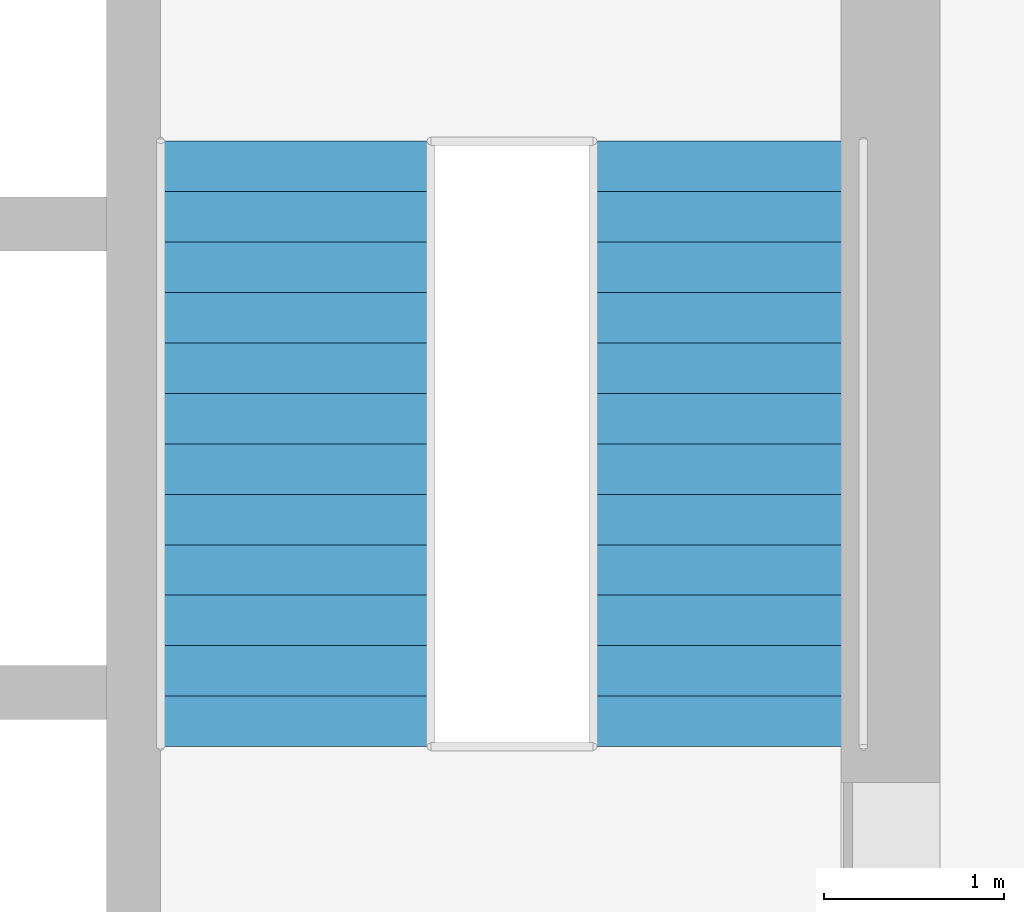
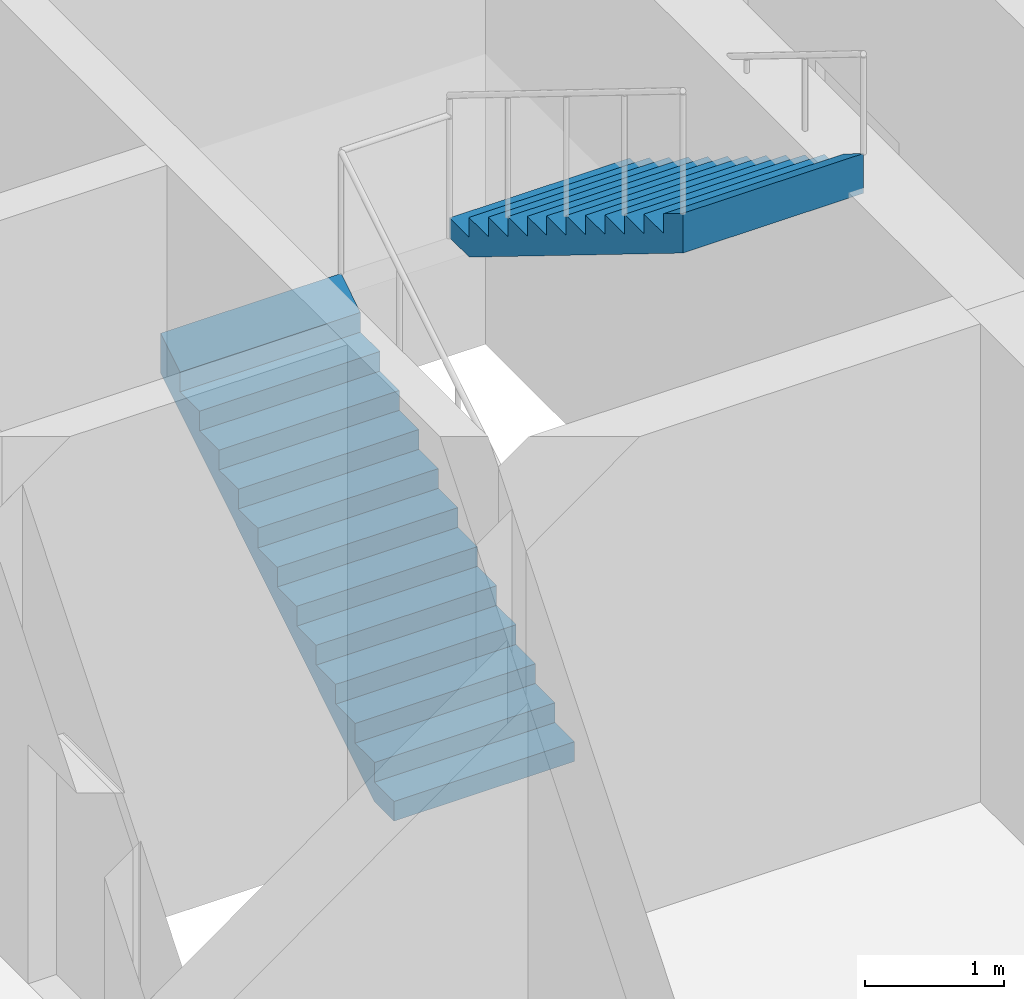
# One storey, part 11 of 13: 2 stair flights, 1 element without a shape of its own.
"""IFC4 building model written with IfcOpenShell, lengths in metres."""

import ifcopenshell
import ifcopenshell.guid

model = None  # the IFC model being written
_history = None  # IfcOwnerHistory: only IFC2X3 demands one
_inside = {}  # id of a spatial element -> (the spatial element, [elements in it])
_under = {}  # id of a project, library or spatial element -> (it, [spatial elements below it])
_declared = {}  # id of a project -> (the project, [libraries it declares])
_typed = {}  # id of a type object -> (the type object, [elements of that type])
_made_of = {}  # id of a material, layer set ... -> (it, [elements and type objects made of it])


def new_model(schema):
    """Start an empty IFC model of exactly this schema.

    Asked for "IFC4X3", IfcOpenShell would pick the latest addendum, in which some entities
    have other attributes; the version numbers below select the first issue.
    IFC2X3 requires an IfcOwnerHistory on every rooted entity: one is made here for all.
    """
    global model, _history
    if schema == "IFC4X3":
        model = ifcopenshell.file(schema_version=(4, 3, 0, 0))
    else:
        model = ifcopenshell.file(schema=schema)
    _inside.clear()
    _under.clear()
    _declared.clear()
    _typed.clear()
    _made_of.clear()
    _history = None
    if model.schema == "IFC2X3":
        org = make("IfcOrganization", Name="unknown")
        user = make(
            "IfcPersonAndOrganization",
            ThePerson=make("IfcPerson", FamilyName="unknown"),
            TheOrganization=org,
        )
        app = make(
            "IfcApplication",
            ApplicationDeveloper=org,
            Version="unknown",
            ApplicationFullName="unknown",
            ApplicationIdentifier="unknown",
        )
        _history = make(
            "IfcOwnerHistory",
            OwningUser=user,
            OwningApplication=app,
            ChangeAction="ADDED",
            CreationDate=0,
        )
    return model


def make(cls, **values):
    """One entity of the class cls with the attributes given. An attribute that is None is left unset."""
    return model.create_entity(
        cls, **{name: value for name, value in values.items() if value is not None}
    )


def rooted(cls, **values):
    """An entity with a GlobalId (a new one), such as an element, a storey or a relation."""
    return make(cls, GlobalId=ifcopenshell.guid.new(), OwnerHistory=_history, **values)


def si_unit(unit_type, name, prefix=None):
    """IfcSIUnit, for example si_unit("LENGTHUNIT", "METRE", prefix="MILLI")."""
    return make("IfcSIUnit", UnitType=unit_type, Prefix=prefix, Name=name)


def assignment(units):
    """IfcUnitAssignment: the units of a project."""
    return None if units is None else make("IfcUnitAssignment", Units=units)


def point(xyz):
    """IfcCartesianPoint."""
    return None if xyz is None else make("IfcCartesianPoint", Coordinates=xyz)


def direction(xyz):
    """IfcDirection."""
    return None if xyz is None else make("IfcDirection", DirectionRatios=xyz)


def frame(location, z_axis=None, x_axis=None):
    """IfcAxis2Placement3D, a coordinate frame: its origin and axes. An axis left out is left unset."""
    return make(
        "IfcAxis2Placement3D",
        Location=point(location),
        Axis=direction(z_axis),
        RefDirection=direction(x_axis),
    )


def origin():
    """The frame at (0, 0, 0) with its axes left unset."""
    return frame((0.0, 0.0, 0.0))


def place(relative_to, where):
    """IfcLocalPlacement: puts the frame where relative to a parent placement (None: the world)."""
    return make(
        "IfcLocalPlacement", PlacementRelTo=relative_to, RelativePlacement=where
    )


def context(
    kind, dimensions, precision=None, world=None, true_north=None, identifier=None
):
    """IfcGeometricRepresentationContext, for example the 3D "Model" context."""
    return make(
        "IfcGeometricRepresentationContext",
        ContextIdentifier=identifier,
        ContextType=kind,
        CoordinateSpaceDimension=dimensions,
        Precision=precision,
        WorldCoordinateSystem=world,
        TrueNorth=true_north,
    )


def subcontext(parent, identifier, kind, view, scale=None):
    """IfcGeometricRepresentationSubContext, for example "Body" below "Model"."""
    return make(
        "IfcGeometricRepresentationSubContext",
        ContextIdentifier=identifier,
        ContextType=kind,
        ParentContext=parent,
        TargetScale=scale,
        TargetView=view,
    )


def project(units=None, contexts=None):
    """IfcProject with its units and contexts."""
    return rooted(
        "IfcProject",
        Name="project",
        RepresentationContexts=contexts,
        UnitsInContext=assignment(units),
    )


def spatial(cls, under=None, at=None, **own):
    """A site, building, storey or space (cls), placed at a placement, below another one or the project."""
    s = rooted(cls, ObjectPlacement=at, **own)
    if under is not None:
        _under.setdefault(under.id(), (under, []))[1].append(s)
    return s


def point_list(points):
    """IfcCartesianPointList2D or 3D."""
    cls = (
        "IfcCartesianPointList2D" if len(points[0]) == 2 else "IfcCartesianPointList3D"
    )
    return make(cls, CoordList=points)


def triangles(points, corners, closed=None, point_numbers=None):
    """IfcTriangulatedFaceSet: each triangle names its three corners, points numbered from 1."""
    return make(
        "IfcTriangulatedFaceSet",
        Coordinates=point_list(points),
        Closed=closed,
        CoordIndex=corners,
        PnIndex=point_numbers,
    )


def shape(context_of_items, identifier, shape_type, items):
    """IfcShapeRepresentation: the items that make up one representation, for example the "Body"."""
    return make(
        "IfcShapeRepresentation",
        ContextOfItems=context_of_items,
        RepresentationIdentifier=identifier,
        RepresentationType=shape_type,
        Items=items,
    )


def material(Name=None, Category=None):
    """IfcMaterial."""
    return make("IfcMaterial", Name=Name, Category=Category)


def made_of(thing, what):
    """Note that an element or type object is made of a material, layer set ...; save() writes the relation."""
    if what is not None:
        _made_of.setdefault(what.id(), (what, []))[1].append(thing)
    return thing


def type_object(cls, material=None, **own):
    """A type object (cls), such as IfcWallType, which elements share."""
    return made_of(rooted(cls, **own), material)


def element(
    cls,
    number,
    at=None,
    inside=None,
    cuts=None,
    type_object=None,
    material=None,
    context=None,
    identifier="Body",
    shape_type=None,
    held_by="IfcProductDefinitionShape",
    body=None,
    shapes=None,
    **own,
):
    """One element of the class cls, such as IfcWall. Its Tag is "e" and its number.

    at: its placement. inside: the storey or other place that contains it. cuts: it is an
    opening in that element (IfcRelVoidsElement). A single representation is given by context,
    identifier, shape_type and body (its items); several are given by shapes. held_by: the class
    of the entity that holds the representations. save() writes the other relations.
    """
    e = rooted(cls, Tag="e%d" % number, ObjectPlacement=at, **own)
    if body is not None:
        shapes = [shape(context, identifier, shape_type, body)]
    if shapes is not None:
        e.Representation = make(held_by, Representations=shapes)
    if inside is not None:
        _inside.setdefault(inside.id(), (inside, []))[1].append(e)
    if cuts is not None:
        rooted(
            "IfcRelVoidsElement", RelatingBuildingElement=cuts, RelatedOpeningElement=e
        )
    if type_object is not None:
        _typed.setdefault(type_object.id(), (type_object, []))[1].append(e)
    return made_of(e, material)


def aggregate(whole, parts):
    """IfcRelAggregates: a whole, such as a stair, and the parts it consists of."""
    return rooted("IfcRelAggregates", RelatingObject=whole, RelatedObjects=parts)


def save(model, path):
    """Write the relations noted so far, then the file.

    IfcRelAggregates (storeys below a building ...), IfcRelContainedInSpatialStructure (elements
    in a storey), IfcRelDefinesByType, IfcRelAssociatesMaterial and IfcRelDeclares: one each for
    every whole, place, type object, material and project.
    """
    for whole, parts in _under.values():
        aggregate(whole, parts)
    for where, things in _inside.values():
        rooted(
            "IfcRelContainedInSpatialStructure",
            RelatedElements=things,
            RelatingStructure=where,
        )
    for kind, things in _typed.values():
        rooted("IfcRelDefinesByType", RelatedObjects=things, RelatingType=kind)
    for what, things in _made_of.values():
        rooted("IfcRelAssociatesMaterial", RelatedObjects=things, RelatingMaterial=what)
    for by, libraries in _declared.values():
        rooted("IfcRelDeclares", RelatingContext=by, RelatedDefinitions=libraries)
    model.write(path)


model = new_model("IFC4")

# Units and contexts
model_context = context("Model", 3, precision=1e-05, world=origin(), true_north=direction((0.0, 1.0)))
body_context = subcontext(model_context, "Body", "Model", "MODEL_VIEW")
ifc_project = project(units=[si_unit("LENGTHUNIT", "METRE"), si_unit("AREAUNIT", "SQUARE_METRE"), si_unit("VOLUMEUNIT", "CUBIC_METRE"), si_unit("PLANEANGLEUNIT", "RADIAN"), si_unit("MASSUNIT", "GRAM", prefix="KILO")], contexts=[model_context])

# Site, building, storey
site_placement = place(None, origin())
site = spatial("IfcSite", under=ifc_project, at=site_placement, CompositionType="ELEMENT")
building_placement = place(site_placement, origin())
building = spatial("IfcBuilding", under=site, at=building_placement, Name="Ludao Terraces", CompositionType="ELEMENT")
storey_placement = place(building_placement, frame((0.0, 0.0, 192.800048828125)))
storey = spatial("IfcBuildingStorey", under=building, at=storey_placement, Name="L52", CompositionType="ELEMENT", Elevation=192.800048828125)

# Stair, stair flights
ifc_material = material(Name="Concrete C40", Category="concrete")
stair_type = type_object("IfcStairType", Name="INT Stair", PredefinedType="HALF_TURN_STAIR", material=ifc_material)
stair_placement = place(storey_placement, origin())
stair = element("IfcStair", 1, at=stair_placement, inside=storey, type_object=stair_type, Name="EXIT STAIR 2", PredefinedType="HALF_TURN_STAIR")
stair_flight_type = type_object("IfcStairFlightType", Name="INT Stair flight", PredefinedType="STRAIGHT", material=ifc_material)
stair_flight_1_placement = place(storey_placement, frame((91.449951171875, 79.0, 0.0), z_axis=(0.0, 0.0, 1.0), x_axis=(0.0, 1.0, 0.0)))
stair_flight_1 = element("IfcStairFlight", 2, at=stair_flight_1_placement, type_object=stair_flight_type, Name="ST2 flight 1", NumberOfRisers=13, NumberOfTreads=12, PredefinedType="STRAIGHT", RiserHeight=0.173077, TreadLength=0.28, context=body_context, shape_type="Tessellation", body=[
    triangles([(0.0, -0.75, 0.0), (0.0, -0.5, 0.0), (0.0, -0.25, 0.0), (0.0, 0.0, 0.0), (0.0, 0.25, 0.0), (0.0, 0.5, 0.0), (0.0, 0.75, 0.0), (0.0, -0.75, 0.173095703125), (0.0, -0.5, 0.173095703125), (0.0, -0.25, 0.173095703125), (0.0, 0.0, 0.173095703125), (0.0, 0.25, 0.173095703125), (0.0, 0.5, 0.173095703125), (0.0, 0.75, 0.173095703125), (0.280029296875, -0.75, 0.173095703125), (0.280029296875, -0.5, 0.173095703125), (0.280029296875, -0.25, 0.173095703125), (0.280029296875, 0.0, 0.173095703125), (0.280029296875, 0.25, 0.173095703125), (0.280029296875, 0.5, 0.173095703125), (0.280029296875, 0.75, 0.173095703125), (0.280029296875, -0.75, 0.34619140625), (0.280029296875, -0.5, 0.34619140625), (0.280029296875, -0.25, 0.34619140625), (0.280029296875, 0.0, 0.34619140625), (0.280029296875, 0.25, 0.34619140625), (0.280029296875, 0.5, 0.34619140625), (0.280029296875, 0.75, 0.34619140625), (0.56005859375, -0.75, 0.34619140625), (0.56005859375, -0.5, 0.34619140625), (0.56005859375, -0.25, 0.34619140625), (0.56005859375, 0.0, 0.34619140625), (0.56005859375, 0.25, 0.34619140625), (0.56005859375, 0.5, 0.34619140625), (0.56005859375, 0.75, 0.34619140625), (0.56005859375, -0.75, 0.519287109375), (0.56005859375, -0.5, 0.519287109375), (0.56005859375, -0.25, 0.519287109375), (0.56005859375, 0.0, 0.519287109375), (0.56005859375, 0.25, 0.519287109375), (0.56005859375, 0.5, 0.519287109375), (0.56005859375, 0.75, 0.519287109375), (0.840087890625, -0.75, 0.519287109375), (0.840087890625, -0.5, 0.519287109375), (0.840087890625, -0.25, 0.519287109375), (0.840087890625, 0.0, 0.519287109375), (0.840087890625, 0.25, 0.519287109375), (0.840087890625, 0.5, 0.519287109375), (0.840087890625, 0.75, 0.519287109375), (0.840087890625, -0.75, 0.6923828125), (0.840087890625, -0.5, 0.6923828125), (0.840087890625, -0.25, 0.6923828125), (0.840087890625, 0.0, 0.6923828125), (0.840087890625, 0.25, 0.6923828125), (0.840087890625, 0.5, 0.6923828125), (0.840087890625, 0.75, 0.6923828125), (1.1201171875, -0.75, 0.6923828125), (1.1201171875, -0.5, 0.6923828125), (1.1201171875, -0.25, 0.6923828125), (1.1201171875, 0.0, 0.6923828125), (1.1201171875, 0.25, 0.6923828125), (1.1201171875, 0.5, 0.6923828125), (1.1201171875, 0.75, 0.6923828125), (1.1201171875, -0.75, 0.865478515625), (1.1201171875, -0.5, 0.865478515625), (1.1201171875, -0.25, 0.865478515625), (1.1201171875, 0.0, 0.865478515625), (1.1201171875, 0.25, 0.865478515625), (1.1201171875, 0.5, 0.865478515625), (1.1201171875, 0.75, 0.865478515625), (1.39990234375, -0.75, 0.865478515625), (1.39990234375, -0.5, 0.865478515625), (1.39990234375, -0.25, 0.865478515625), (1.39990234375, 0.0, 0.865478515625), (1.39990234375, 0.25, 0.865478515625), (1.39990234375, 0.5, 0.865478515625), (1.39990234375, 0.75, 0.865478515625), (1.39990234375, -0.75, 1.03857421875), (1.39990234375, -0.5, 1.03857421875), (1.39990234375, -0.25, 1.03857421875), (1.39990234375, 0.0, 1.03857421875), (1.39990234375, 0.25, 1.03857421875), (1.39990234375, 0.5, 1.03857421875), (1.39990234375, 0.75, 1.03857421875), (1.679931640625, -0.75, 1.03857421875), (1.679931640625, -0.5, 1.03857421875), (1.679931640625, -0.25, 1.03857421875), (1.679931640625, 0.0, 1.03857421875), (1.679931640625, 0.25, 1.03857421875), (1.679931640625, 0.5, 1.03857421875), (1.679931640625, 0.75, 1.03857421875), (1.679931640625, -0.75, 1.21142578125), (1.679931640625, -0.5, 1.21142578125), (1.679931640625, -0.25, 1.21142578125), (1.679931640625, 0.0, 1.21142578125), (1.679931640625, 0.25, 1.21142578125), (1.679931640625, 0.5, 1.21142578125), (1.679931640625, 0.75, 1.21142578125), (1.9599609375, -0.75, 1.21142578125), (1.9599609375, -0.5, 1.21142578125), (1.9599609375, -0.25, 1.21142578125), (1.9599609375, 0.0, 1.21142578125), (1.9599609375, 0.25, 1.21142578125), (1.9599609375, 0.5, 1.21142578125), (1.9599609375, 0.75, 1.21142578125), (1.9599609375, -0.75, 1.384521484375), (1.9599609375, -0.5, 1.384521484375), (1.9599609375, -0.25, 1.384521484375), (1.9599609375, 0.0, 1.384521484375), (1.9599609375, 0.25, 1.384521484375), (1.9599609375, 0.5, 1.384521484375), (1.9599609375, 0.75, 1.384521484375), (2.239990234375, -0.75, 1.384521484375), (2.239990234375, -0.5, 1.384521484375), (2.239990234375, -0.25, 1.384521484375), (2.239990234375, 0.0, 1.384521484375), (2.239990234375, 0.25, 1.384521484375), (2.239990234375, 0.5, 1.384521484375), (2.239990234375, 0.75, 1.384521484375), (2.239990234375, -0.75, 1.5576171875), (2.239990234375, -0.5, 1.5576171875), (2.239990234375, -0.25, 1.5576171875), (2.239990234375, 0.0, 1.5576171875), (2.239990234375, 0.25, 1.5576171875), (2.239990234375, 0.5, 1.5576171875), (2.239990234375, 0.75, 1.5576171875), (2.52001953125, -0.75, 1.5576171875), (2.52001953125, -0.5, 1.5576171875), (2.52001953125, -0.25, 1.5576171875), (2.52001953125, 0.0, 1.5576171875), (2.52001953125, 0.25, 1.5576171875), (2.52001953125, 0.5, 1.5576171875), (2.52001953125, 0.75, 1.5576171875), (2.52001953125, -0.75, 1.730712890625), (2.52001953125, -0.5, 1.730712890625), (2.52001953125, -0.25, 1.730712890625), (2.52001953125, 0.0, 1.730712890625), (2.52001953125, 0.25, 1.730712890625), (2.52001953125, 0.5, 1.730712890625), (2.52001953125, 0.75, 1.730712890625), (2.800048828125, -0.75, 1.730712890625), (2.800048828125, -0.5, 1.730712890625), (2.800048828125, -0.25, 1.730712890625), (2.800048828125, 0.0, 1.730712890625), (2.800048828125, 0.25, 1.730712890625), (2.800048828125, 0.5, 1.730712890625), (2.800048828125, 0.75, 1.730712890625), (2.800048828125, -0.75, 1.90380859375), (2.800048828125, -0.5, 1.90380859375), (2.800048828125, -0.25, 1.90380859375), (2.800048828125, 0.0, 1.90380859375), (2.800048828125, 0.25, 1.90380859375), (2.800048828125, 0.5, 1.90380859375), (2.800048828125, 0.75, 1.90380859375), (3.080078125, -0.75, 1.90380859375), (3.080078125, -0.5, 1.90380859375), (3.080078125, -0.25, 1.90380859375), (3.080078125, 0.0, 1.90380859375), (3.080078125, 0.25, 1.90380859375), (3.080078125, 0.5, 1.90380859375), (3.080078125, 0.75, 1.90380859375), (3.080078125, -0.75, 2.076904296875), (3.080078125, -0.5, 2.076904296875), (3.080078125, -0.25, 2.076904296875), (3.080078125, 0.0, 2.076904296875), (3.080078125, 0.25, 2.076904296875), (3.080078125, 0.5, 2.076904296875), (3.080078125, 0.75, 2.076904296875), (3.360107421875, -0.75, 2.25), (3.360107421875, -0.5, 2.25), (3.360107421875, -0.25, 2.25), (3.360107421875, 0.0, 2.25), (3.360107421875, 0.25, 2.25), (3.360107421875, 0.5, 2.25), (3.360107421875, 0.75, 2.25), (3.360107421875, -0.75, 1.900634765625), (3.360107421875, -0.5, 1.900634765625), (3.360107421875, -0.25, 1.900634765625), (3.360107421875, 0.0, 1.900634765625), (3.360107421875, 0.25, 1.900634765625), (3.360107421875, 0.5, 1.900634765625), (3.360107421875, 0.75, 1.900634765625), (0.28515625, -0.75, 0.0), (0.28515625, -0.5, 0.0), (0.28515625, -0.25, 0.0), (0.28515625, 0.0, 0.0), (0.28515625, 0.25, 0.0), (0.28515625, 0.5, 0.0), (0.28515625, 0.75, 0.0)], [[1, 183, 176], [7, 182, 189], [176, 169, 162], [182, 168, 175], [176, 162, 155], [182, 161, 168], [176, 155, 148], [182, 154, 161], [176, 148, 141], [182, 147, 154], [141, 134, 127], [147, 133, 140], [176, 141, 127], [182, 133, 147], [127, 120, 113], [133, 119, 126], [176, 127, 113], [182, 119, 133], [113, 106, 99], [119, 105, 112], [176, 113, 99], [182, 105, 119], [1, 176, 99], [7, 105, 182], [99, 92, 85], [105, 91, 98], [85, 78, 71], [91, 77, 84], [99, 85, 71], [105, 77, 91], [71, 64, 57], [77, 63, 70], [99, 71, 57], [105, 63, 77], [57, 50, 43], [63, 49, 56], [99, 57, 43], [105, 49, 63], [43, 36, 29], [49, 35, 42], [99, 43, 29], [105, 35, 49], [29, 22, 15], [35, 21, 28], [99, 29, 15], [105, 21, 35], [1, 99, 15], [7, 21, 105], [15, 8, 1], [21, 7, 14], [1, 9, 2], [1, 8, 9], [2, 10, 3], [2, 9, 10], [3, 11, 4], [3, 10, 11], [4, 12, 5], [4, 11, 12], [5, 13, 6], [5, 12, 13], [6, 14, 7], [6, 13, 14], [8, 16, 9], [8, 15, 16], [9, 17, 10], [9, 16, 17], [10, 18, 11], [10, 17, 18], [11, 19, 12], [11, 18, 19], [12, 20, 13], [12, 19, 20], [13, 21, 14], [13, 20, 21], [15, 23, 16], [15, 22, 23], [16, 24, 17], [16, 23, 24], [17, 25, 18], [17, 24, 25], [18, 26, 19], [18, 25, 26], [19, 27, 20], [19, 26, 27], [20, 28, 21], [20, 27, 28], [22, 30, 23], [22, 29, 30], [23, 31, 24], [23, 30, 31], [24, 32, 25], [24, 31, 32], [25, 33, 26], [25, 32, 33], [26, 34, 27], [26, 33, 34], [27, 35, 28], [27, 34, 35], [29, 37, 30], [29, 36, 37], [30, 38, 31], [30, 37, 38], [31, 39, 32], [31, 38, 39], [32, 40, 33], [32, 39, 40], [33, 41, 34], [33, 40, 41], [34, 42, 35], [34, 41, 42], [36, 44, 37], [36, 43, 44], [37, 45, 38], [37, 44, 45], [38, 46, 39], [38, 45, 46], [39, 47, 40], [39, 46, 47], [40, 48, 41], [40, 47, 48], [41, 49, 42], [41, 48, 49], [43, 51, 44], [43, 50, 51], [44, 52, 45], [44, 51, 52], [45, 53, 46], [45, 52, 53], [46, 54, 47], [46, 53, 54], [47, 55, 48], [47, 54, 55], [48, 56, 49], [48, 55, 56], [50, 58, 51], [50, 57, 58], [51, 59, 52], [51, 58, 59], [52, 60, 53], [52, 59, 60], [53, 61, 54], [53, 60, 61], [54, 62, 55], [54, 61, 62], [55, 63, 56], [55, 62, 63], [57, 65, 58], [57, 64, 65], [58, 66, 59], [58, 65, 66], [59, 67, 60], [59, 66, 67], [60, 68, 61], [60, 67, 68], [61, 69, 62], [61, 68, 69], [62, 70, 63], [62, 69, 70], [64, 72, 65], [64, 71, 72], [65, 73, 66], [65, 72, 73], [66, 74, 67], [66, 73, 74], [67, 75, 68], [67, 74, 75], [68, 76, 69], [68, 75, 76], [69, 77, 70], [69, 76, 77], [71, 79, 72], [71, 78, 79], [72, 80, 73], [72, 79, 80], [73, 81, 74], [73, 80, 81], [74, 82, 75], [74, 81, 82], [75, 83, 76], [75, 82, 83], [76, 84, 77], [76, 83, 84], [78, 86, 79], [78, 85, 86], [79, 87, 80], [79, 86, 87], [80, 88, 81], [80, 87, 88], [81, 89, 82], [81, 88, 89], [82, 90, 83], [82, 89, 90], [83, 91, 84], [83, 90, 91], [85, 93, 86], [85, 92, 93], [86, 94, 87], [86, 93, 94], [87, 95, 88], [87, 94, 95], [88, 96, 89], [88, 95, 96], [89, 97, 90], [89, 96, 97], [90, 98, 91], [90, 97, 98], [92, 100, 93], [92, 99, 100], [93, 101, 94], [93, 100, 101], [94, 102, 95], [94, 101, 102], [95, 103, 96], [95, 102, 103], [96, 104, 97], [96, 103, 104], [97, 105, 98], [97, 104, 105], [99, 107, 100], [99, 106, 107], [100, 108, 101], [100, 107, 108], [101, 109, 102], [101, 108, 109], [102, 110, 103], [102, 109, 110], [103, 111, 104], [103, 110, 111], [104, 112, 105], [104, 111, 112], [106, 114, 107], [106, 113, 114], [107, 115, 108], [107, 114, 115], [108, 116, 109], [108, 115, 116], [109, 117, 110], [109, 116, 117], [110, 118, 111], [110, 117, 118], [111, 119, 112], [111, 118, 119], [113, 121, 114], [113, 120, 121], [114, 122, 115], [114, 121, 122], [115, 123, 116], [115, 122, 123], [116, 124, 117], [116, 123, 124], [117, 125, 118], [117, 124, 125], [118, 126, 119], [118, 125, 126], [120, 128, 121], [120, 127, 128], [121, 129, 122], [121, 128, 129], [122, 130, 123], [122, 129, 130], [123, 131, 124], [123, 130, 131], [124, 132, 125], [124, 131, 132], [125, 133, 126], [125, 132, 133], [127, 135, 128], [127, 134, 135], [128, 136, 129], [128, 135, 136], [129, 137, 130], [129, 136, 137], [130, 138, 131], [130, 137, 138], [131, 139, 132], [131, 138, 139], [132, 140, 133], [132, 139, 140], [134, 142, 135], [134, 141, 142], [135, 143, 136], [135, 142, 143], [136, 144, 137], [136, 143, 144], [137, 145, 138], [137, 144, 145], [138, 146, 139], [138, 145, 146], [139, 147, 140], [139, 146, 147], [141, 149, 142], [141, 148, 149], [142, 150, 143], [142, 149, 150], [143, 151, 144], [143, 150, 151], [144, 152, 145], [144, 151, 152], [145, 153, 146], [145, 152, 153], [146, 154, 147], [146, 153, 154], [148, 156, 149], [148, 155, 156], [149, 157, 150], [149, 156, 157], [150, 158, 151], [150, 157, 158], [151, 159, 152], [151, 158, 159], [152, 160, 153], [152, 159, 160], [153, 161, 154], [153, 160, 161], [155, 163, 156], [155, 162, 163], [156, 164, 157], [156, 163, 164], [157, 165, 158], [157, 164, 165], [158, 166, 159], [158, 165, 166], [159, 167, 160], [159, 166, 167], [160, 168, 161], [160, 167, 168], [162, 170, 163], [162, 169, 170], [163, 171, 164], [163, 170, 171], [164, 172, 165], [164, 171, 172], [165, 173, 166], [165, 172, 173], [166, 174, 167], [166, 173, 174], [167, 175, 168], [167, 174, 175], [169, 177, 170], [169, 176, 177], [170, 178, 171], [170, 177, 178], [171, 179, 172], [171, 178, 179], [172, 180, 173], [172, 179, 180], [173, 181, 174], [173, 180, 181], [174, 182, 175], [174, 181, 182], [176, 184, 177], [176, 183, 184], [177, 185, 178], [177, 184, 185], [178, 186, 179], [178, 185, 186], [179, 187, 180], [179, 186, 187], [180, 188, 181], [180, 187, 188], [181, 189, 182], [181, 188, 189], [183, 2, 184], [183, 1, 2], [184, 3, 185], [184, 2, 3], [185, 4, 186], [185, 3, 4], [186, 5, 187], [186, 4, 5], [187, 6, 188], [187, 5, 6], [188, 7, 189], [188, 6, 7]], closed=True),
])
stair_flight_2_placement = place(storey_placement, frame((93.85009765625, 82.360107421875, 2.25), z_axis=(0.0, 0.0, 1.0), x_axis=(0.0, -1.0, 0.0)))
stair_flight_2 = element("IfcStairFlight", 3, at=stair_flight_2_placement, type_object=stair_flight_type, Name="ST2 flight 2", NumberOfRisers=13, NumberOfTreads=12, PredefinedType="STRAIGHT", RiserHeight=0.173077, TreadLength=0.28, context=body_context, shape_type="Tessellation", body=[
    triangles([(0.0, -0.75, 0.0), (0.0, -0.5, 0.0), (0.0, -0.25, 0.0), (0.0, 0.0, 0.0), (0.0, 0.25, 0.0), (0.0, 0.5, 0.0), (0.0, 0.75, 0.0), (0.0, -0.75, 0.173095703125), (0.0, -0.5, 0.173095703125), (0.0, -0.25, 0.173095703125), (0.0, 0.0, 0.173095703125), (0.0, 0.25, 0.173095703125), (0.0, 0.5, 0.173095703125), (0.0, 0.75, 0.173095703125), (0.280029296875, -0.75, 0.173095703125), (0.280029296875, -0.5, 0.173095703125), (0.280029296875, -0.25, 0.173095703125), (0.280029296875, 0.0, 0.173095703125), (0.280029296875, 0.25, 0.173095703125), (0.280029296875, 0.5, 0.173095703125), (0.280029296875, 0.75, 0.173095703125), (0.280029296875, -0.75, 0.34619140625), (0.280029296875, -0.5, 0.34619140625), (0.280029296875, -0.25, 0.34619140625), (0.280029296875, 0.0, 0.34619140625), (0.280029296875, 0.25, 0.34619140625), (0.280029296875, 0.5, 0.34619140625), (0.280029296875, 0.75, 0.34619140625), (0.56005859375, -0.75, 0.34619140625), (0.56005859375, -0.5, 0.34619140625), (0.56005859375, -0.25, 0.34619140625), (0.56005859375, 0.0, 0.34619140625), (0.56005859375, 0.25, 0.34619140625), (0.56005859375, 0.5, 0.34619140625), (0.56005859375, 0.75, 0.34619140625), (0.56005859375, -0.75, 0.519287109375), (0.56005859375, -0.5, 0.519287109375), (0.56005859375, -0.25, 0.519287109375), (0.56005859375, 0.0, 0.519287109375), (0.56005859375, 0.25, 0.519287109375), (0.56005859375, 0.5, 0.519287109375), (0.56005859375, 0.75, 0.519287109375), (0.840087890625, -0.75, 0.519287109375), (0.840087890625, -0.5, 0.519287109375), (0.840087890625, -0.25, 0.519287109375), (0.840087890625, 0.0, 0.519287109375), (0.840087890625, 0.25, 0.519287109375), (0.840087890625, 0.5, 0.519287109375), (0.840087890625, 0.75, 0.519287109375), (0.840087890625, -0.75, 0.6923828125), (0.840087890625, -0.5, 0.6923828125), (0.840087890625, -0.25, 0.6923828125), (0.840087890625, 0.0, 0.6923828125), (0.840087890625, 0.25, 0.6923828125), (0.840087890625, 0.5, 0.6923828125), (0.840087890625, 0.75, 0.6923828125), (1.1201171875, -0.75, 0.6923828125), (1.1201171875, -0.5, 0.6923828125), (1.1201171875, -0.25, 0.6923828125), (1.1201171875, 0.0, 0.6923828125), (1.1201171875, 0.25, 0.6923828125), (1.1201171875, 0.5, 0.6923828125), (1.1201171875, 0.75, 0.6923828125), (1.1201171875, -0.75, 0.865478515625), (1.1201171875, -0.5, 0.865478515625), (1.1201171875, -0.25, 0.865478515625), (1.1201171875, 0.0, 0.865478515625), (1.1201171875, 0.25, 0.865478515625), (1.1201171875, 0.5, 0.865478515625), (1.1201171875, 0.75, 0.865478515625), (1.39990234375, -0.75, 0.865478515625), (1.39990234375, -0.5, 0.865478515625), (1.39990234375, -0.25, 0.865478515625), (1.39990234375, 0.0, 0.865478515625), (1.39990234375, 0.25, 0.865478515625), (1.39990234375, 0.5, 0.865478515625), (1.39990234375, 0.75, 0.865478515625), (1.39990234375, -0.75, 1.03857421875), (1.39990234375, -0.5, 1.03857421875), (1.39990234375, -0.25, 1.03857421875), (1.39990234375, 0.0, 1.03857421875), (1.39990234375, 0.25, 1.03857421875), (1.39990234375, 0.5, 1.03857421875), (1.39990234375, 0.75, 1.03857421875), (1.679931640625, -0.75, 1.03857421875), (1.679931640625, -0.5, 1.03857421875), (1.679931640625, -0.25, 1.03857421875), (1.679931640625, 0.0, 1.03857421875), (1.679931640625, 0.25, 1.03857421875), (1.679931640625, 0.5, 1.03857421875), (1.679931640625, 0.75, 1.03857421875), (1.679931640625, -0.75, 1.21142578125), (1.679931640625, -0.5, 1.21142578125), (1.679931640625, -0.25, 1.21142578125), (1.679931640625, 0.0, 1.21142578125), (1.679931640625, 0.25, 1.21142578125), (1.679931640625, 0.5, 1.21142578125), (1.679931640625, 0.75, 1.21142578125), (1.9599609375, -0.75, 1.21142578125), (1.9599609375, -0.5, 1.21142578125), (1.9599609375, -0.25, 1.21142578125), (1.9599609375, 0.0, 1.21142578125), (1.9599609375, 0.25, 1.21142578125), (1.9599609375, 0.5, 1.21142578125), (1.9599609375, 0.75, 1.21142578125), (1.9599609375, -0.75, 1.384521484375), (1.9599609375, -0.5, 1.384521484375), (1.9599609375, -0.25, 1.384521484375), (1.9599609375, 0.0, 1.384521484375), (1.9599609375, 0.25, 1.384521484375), (1.9599609375, 0.5, 1.384521484375), (1.9599609375, 0.75, 1.384521484375), (2.239990234375, -0.75, 1.384521484375), (2.239990234375, -0.5, 1.384521484375), (2.239990234375, -0.25, 1.384521484375), (2.239990234375, 0.0, 1.384521484375), (2.239990234375, 0.25, 1.384521484375), (2.239990234375, 0.5, 1.384521484375), (2.239990234375, 0.75, 1.384521484375), (2.239990234375, -0.75, 1.5576171875), (2.239990234375, -0.5, 1.5576171875), (2.239990234375, -0.25, 1.5576171875), (2.239990234375, 0.0, 1.5576171875), (2.239990234375, 0.25, 1.5576171875), (2.239990234375, 0.5, 1.5576171875), (2.239990234375, 0.75, 1.5576171875), (2.52001953125, -0.75, 1.5576171875), (2.52001953125, -0.5, 1.5576171875), (2.52001953125, -0.25, 1.5576171875), (2.52001953125, 0.0, 1.5576171875), (2.52001953125, 0.25, 1.5576171875), (2.52001953125, 0.5, 1.5576171875), (2.52001953125, 0.75, 1.5576171875), (2.52001953125, -0.75, 1.730712890625), (2.52001953125, -0.5, 1.730712890625), (2.52001953125, -0.25, 1.730712890625), (2.52001953125, 0.0, 1.730712890625), (2.52001953125, 0.25, 1.730712890625), (2.52001953125, 0.5, 1.730712890625), (2.52001953125, 0.75, 1.730712890625), (2.800048828125, -0.75, 1.730712890625), (2.800048828125, -0.5, 1.730712890625), (2.800048828125, -0.25, 1.730712890625), (2.800048828125, 0.0, 1.730712890625), (2.800048828125, 0.25, 1.730712890625), (2.800048828125, 0.5, 1.730712890625), (2.800048828125, 0.75, 1.730712890625), (2.800048828125, -0.75, 1.90380859375), (2.800048828125, -0.5, 1.90380859375), (2.800048828125, -0.25, 1.90380859375), (2.800048828125, 0.0, 1.90380859375), (2.800048828125, 0.25, 1.90380859375), (2.800048828125, 0.5, 1.90380859375), (2.800048828125, 0.75, 1.90380859375), (3.080078125, -0.75, 1.90380859375), (3.080078125, -0.5, 1.90380859375), (3.080078125, -0.25, 1.90380859375), (3.080078125, 0.0, 1.90380859375), (3.080078125, 0.25, 1.90380859375), (3.080078125, 0.5, 1.90380859375), (3.080078125, 0.75, 1.90380859375), (3.080078125, -0.75, 2.076904296875), (3.080078125, -0.5, 2.076904296875), (3.080078125, -0.25, 2.076904296875), (3.080078125, 0.0, 2.076904296875), (3.080078125, 0.25, 2.076904296875), (3.080078125, 0.5, 2.076904296875), (3.080078125, 0.75, 2.076904296875), (3.360107421875, -0.75, 2.25), (3.360107421875, -0.5, 2.25), (3.360107421875, -0.25, 2.25), (3.360107421875, 0.0, 2.25), (3.360107421875, 0.25, 2.25), (3.360107421875, 0.5, 2.25), (3.360107421875, 0.75, 2.25), (3.360107421875, -0.75, 1.900634765625), (3.360107421875, -0.5, 1.900634765625), (3.360107421875, -0.25, 1.900634765625), (3.360107421875, 0.0, 1.900634765625), (3.360107421875, 0.25, 1.900634765625), (3.360107421875, 0.5, 1.900634765625), (3.360107421875, 0.75, 1.900634765625), (0.28515625, -0.75, 0.0), (0.28515625, -0.5, 0.0), (0.28515625, -0.25, 0.0), (0.28515625, 0.0, 0.0), (0.28515625, 0.25, 0.0), (0.28515625, 0.5, 0.0), (0.28515625, 0.75, 0.0)], [[1, 183, 176], [7, 182, 189], [176, 169, 162], [182, 168, 175], [176, 162, 155], [182, 161, 168], [176, 155, 148], [182, 154, 161], [176, 148, 141], [182, 147, 154], [141, 134, 127], [147, 133, 140], [176, 141, 127], [182, 133, 147], [127, 120, 113], [133, 119, 126], [176, 127, 113], [182, 119, 133], [113, 106, 99], [119, 105, 112], [176, 113, 99], [182, 105, 119], [1, 176, 99], [7, 105, 182], [99, 92, 85], [105, 91, 98], [85, 78, 71], [91, 77, 84], [99, 85, 71], [105, 77, 91], [71, 64, 57], [77, 63, 70], [99, 71, 57], [105, 63, 77], [57, 50, 43], [63, 49, 56], [99, 57, 43], [105, 49, 63], [43, 36, 29], [49, 35, 42], [99, 43, 29], [105, 35, 49], [29, 22, 15], [35, 21, 28], [99, 29, 15], [105, 21, 35], [1, 99, 15], [7, 21, 105], [15, 8, 1], [21, 7, 14], [1, 9, 2], [1, 8, 9], [2, 10, 3], [2, 9, 10], [3, 11, 4], [3, 10, 11], [4, 12, 5], [4, 11, 12], [5, 13, 6], [5, 12, 13], [6, 14, 7], [6, 13, 14], [8, 16, 9], [8, 15, 16], [9, 17, 10], [9, 16, 17], [10, 18, 11], [10, 17, 18], [11, 19, 12], [11, 18, 19], [12, 20, 13], [12, 19, 20], [13, 21, 14], [13, 20, 21], [15, 23, 16], [15, 22, 23], [16, 24, 17], [16, 23, 24], [17, 25, 18], [17, 24, 25], [18, 26, 19], [18, 25, 26], [19, 27, 20], [19, 26, 27], [20, 28, 21], [20, 27, 28], [22, 30, 23], [22, 29, 30], [23, 31, 24], [23, 30, 31], [24, 32, 25], [24, 31, 32], [25, 33, 26], [25, 32, 33], [26, 34, 27], [26, 33, 34], [27, 35, 28], [27, 34, 35], [29, 37, 30], [29, 36, 37], [30, 38, 31], [30, 37, 38], [31, 39, 32], [31, 38, 39], [32, 40, 33], [32, 39, 40], [33, 41, 34], [33, 40, 41], [34, 42, 35], [34, 41, 42], [36, 44, 37], [36, 43, 44], [37, 45, 38], [37, 44, 45], [38, 46, 39], [38, 45, 46], [39, 47, 40], [39, 46, 47], [40, 48, 41], [40, 47, 48], [41, 49, 42], [41, 48, 49], [43, 51, 44], [43, 50, 51], [44, 52, 45], [44, 51, 52], [45, 53, 46], [45, 52, 53], [46, 54, 47], [46, 53, 54], [47, 55, 48], [47, 54, 55], [48, 56, 49], [48, 55, 56], [50, 58, 51], [50, 57, 58], [51, 59, 52], [51, 58, 59], [52, 60, 53], [52, 59, 60], [53, 61, 54], [53, 60, 61], [54, 62, 55], [54, 61, 62], [55, 63, 56], [55, 62, 63], [57, 65, 58], [57, 64, 65], [58, 66, 59], [58, 65, 66], [59, 67, 60], [59, 66, 67], [60, 68, 61], [60, 67, 68], [61, 69, 62], [61, 68, 69], [62, 70, 63], [62, 69, 70], [64, 72, 65], [64, 71, 72], [65, 73, 66], [65, 72, 73], [66, 74, 67], [66, 73, 74], [67, 75, 68], [67, 74, 75], [68, 76, 69], [68, 75, 76], [69, 77, 70], [69, 76, 77], [71, 79, 72], [71, 78, 79], [72, 80, 73], [72, 79, 80], [73, 81, 74], [73, 80, 81], [74, 82, 75], [74, 81, 82], [75, 83, 76], [75, 82, 83], [76, 84, 77], [76, 83, 84], [78, 86, 79], [78, 85, 86], [79, 87, 80], [79, 86, 87], [80, 88, 81], [80, 87, 88], [81, 89, 82], [81, 88, 89], [82, 90, 83], [82, 89, 90], [83, 91, 84], [83, 90, 91], [85, 93, 86], [85, 92, 93], [86, 94, 87], [86, 93, 94], [87, 95, 88], [87, 94, 95], [88, 96, 89], [88, 95, 96], [89, 97, 90], [89, 96, 97], [90, 98, 91], [90, 97, 98], [92, 100, 93], [92, 99, 100], [93, 101, 94], [93, 100, 101], [94, 102, 95], [94, 101, 102], [95, 103, 96], [95, 102, 103], [96, 104, 97], [96, 103, 104], [97, 105, 98], [97, 104, 105], [99, 107, 100], [99, 106, 107], [100, 108, 101], [100, 107, 108], [101, 109, 102], [101, 108, 109], [102, 110, 103], [102, 109, 110], [103, 111, 104], [103, 110, 111], [104, 112, 105], [104, 111, 112], [106, 114, 107], [106, 113, 114], [107, 115, 108], [107, 114, 115], [108, 116, 109], [108, 115, 116], [109, 117, 110], [109, 116, 117], [110, 118, 111], [110, 117, 118], [111, 119, 112], [111, 118, 119], [113, 121, 114], [113, 120, 121], [114, 122, 115], [114, 121, 122], [115, 123, 116], [115, 122, 123], [116, 124, 117], [116, 123, 124], [117, 125, 118], [117, 124, 125], [118, 126, 119], [118, 125, 126], [120, 128, 121], [120, 127, 128], [121, 129, 122], [121, 128, 129], [122, 130, 123], [122, 129, 130], [123, 131, 124], [123, 130, 131], [124, 132, 125], [124, 131, 132], [125, 133, 126], [125, 132, 133], [127, 135, 128], [127, 134, 135], [128, 136, 129], [128, 135, 136], [129, 137, 130], [129, 136, 137], [130, 138, 131], [130, 137, 138], [131, 139, 132], [131, 138, 139], [132, 140, 133], [132, 139, 140], [134, 142, 135], [134, 141, 142], [135, 143, 136], [135, 142, 143], [136, 144, 137], [136, 143, 144], [137, 145, 138], [137, 144, 145], [138, 146, 139], [138, 145, 146], [139, 147, 140], [139, 146, 147], [141, 149, 142], [141, 148, 149], [142, 150, 143], [142, 149, 150], [143, 151, 144], [143, 150, 151], [144, 152, 145], [144, 151, 152], [145, 153, 146], [145, 152, 153], [146, 154, 147], [146, 153, 154], [148, 156, 149], [148, 155, 156], [149, 157, 150], [149, 156, 157], [150, 158, 151], [150, 157, 158], [151, 159, 152], [151, 158, 159], [152, 160, 153], [152, 159, 160], [153, 161, 154], [153, 160, 161], [155, 163, 156], [155, 162, 163], [156, 164, 157], [156, 163, 164], [157, 165, 158], [157, 164, 165], [158, 166, 159], [158, 165, 166], [159, 167, 160], [159, 166, 167], [160, 168, 161], [160, 167, 168], [162, 170, 163], [162, 169, 170], [163, 171, 164], [163, 170, 171], [164, 172, 165], [164, 171, 172], [165, 173, 166], [165, 172, 173], [166, 174, 167], [166, 173, 174], [167, 175, 168], [167, 174, 175], [169, 177, 170], [169, 176, 177], [170, 178, 171], [170, 177, 178], [171, 179, 172], [171, 178, 179], [172, 180, 173], [172, 179, 180], [173, 181, 174], [173, 180, 181], [174, 182, 175], [174, 181, 182], [176, 184, 177], [176, 183, 184], [177, 185, 178], [177, 184, 185], [178, 186, 179], [178, 185, 186], [179, 187, 180], [179, 186, 187], [180, 188, 181], [180, 187, 188], [181, 189, 182], [181, 188, 189], [183, 2, 184], [183, 1, 2], [184, 3, 185], [184, 2, 3], [185, 4, 186], [185, 3, 4], [186, 5, 187], [186, 4, 5], [187, 6, 188], [187, 5, 6], [188, 7, 189], [188, 6, 7]], closed=True),
])
aggregate(stair, [stair_flight_1, stair_flight_2])

save(model, "model.ifc")
